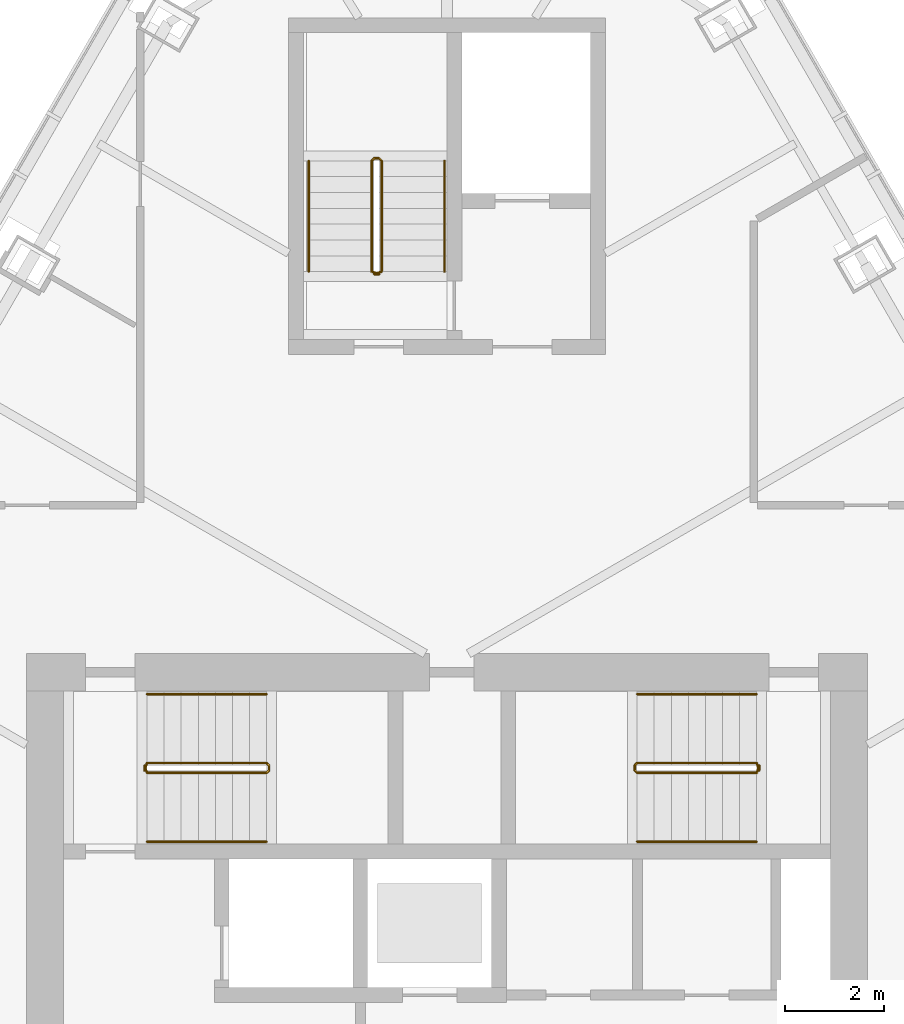
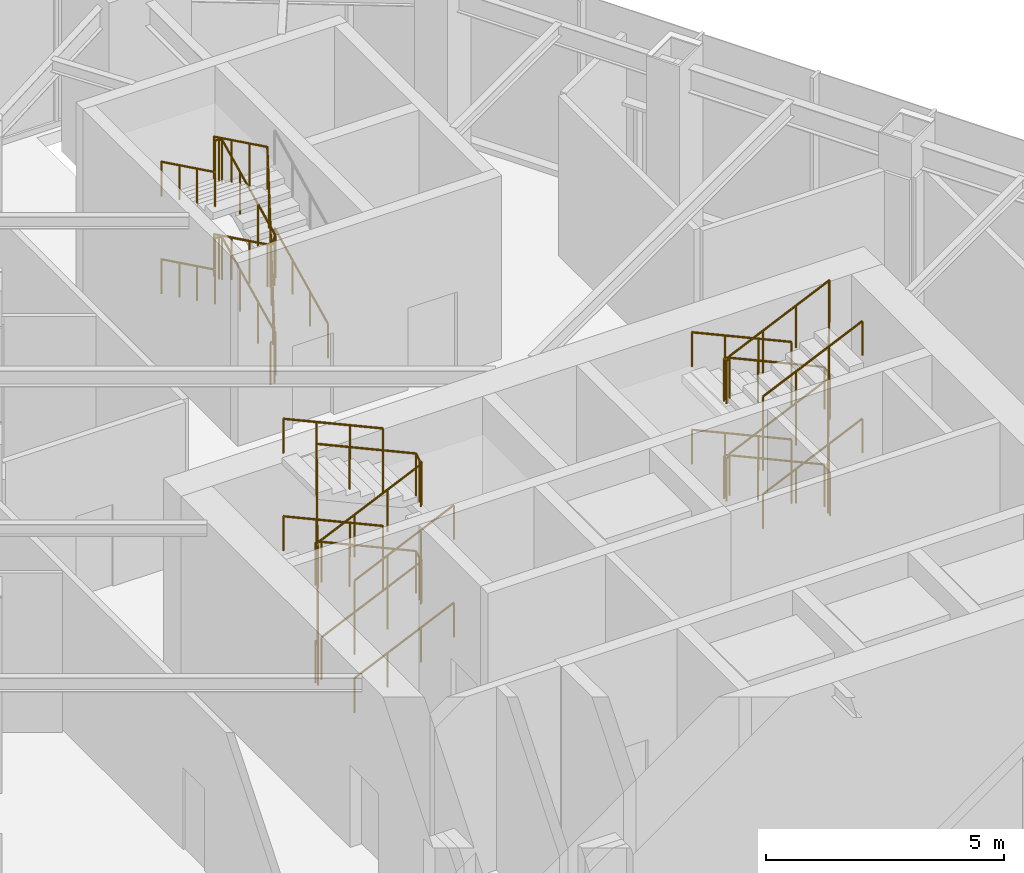
# One storey, part 15 of 17: 14 railings.
"""IFC4 building model written with IfcOpenShell, lengths in metres."""

from ifc_helpers import new_model, si_unit, direction, frame, origin, origin_2d, place, context, subcontext, project, spatial, circle, extrude, material, type_object, element, save


model = new_model("IFC4")

# Units and contexts
model_context = context("Model", 3, precision=1e-05, world=origin(), true_north=direction((0.0, 1.0)))
body_context = subcontext(model_context, "Body", "Model", "MODEL_VIEW")
ifc_project = project(units=[si_unit("LENGTHUNIT", "METRE"), si_unit("AREAUNIT", "SQUARE_METRE"), si_unit("VOLUMEUNIT", "CUBIC_METRE"), si_unit("PLANEANGLEUNIT", "RADIAN"), si_unit("MASSUNIT", "GRAM", prefix="KILO")], contexts=[model_context])

# Site, building, storey
site_placement = place(None, origin())
site = spatial("IfcSite", under=ifc_project, at=site_placement, CompositionType="ELEMENT")
building_placement = place(site_placement, origin())
building = spatial("IfcBuilding", under=site, at=building_placement, Name="Firuza Gate Tower and Library", CompositionType="ELEMENT")
storey_placement = place(building_placement, frame((0.0, 0.0, 326.60009765625)))
storey = spatial("IfcBuildingStorey", under=building, at=storey_placement, Name="L80", CompositionType="ELEMENT", Elevation=326.60009765625)

# Railings
ifc_material_1 = material(Name="Steel S355", Category="steel")
railing_type_1 = type_object("IfcRailingType", Name="Stair guard 1100", PredefinedType="GUARDRAIL", material=ifc_material_1)
railing_1_placement = place(storey_placement, frame((68.93994140625, 79.340087890625, 0.15625)))
element("IfcRailing", 1, at=railing_1_placement, inside=storey, type_object=railing_type_1, Name="L80 ST1 stair guard 1", PredefinedType="GUARDRAIL", context=body_context, shape_type="SweptSolid", body=[
    extrude(circle(Radius=0.02392578125, at=origin_2d()), frame((0.0, 0.0, 1.076171875), z_axis=(0.910933285851, 0.0, 0.412553691934), x_axis=(0.0, 1.0, 0.0)), (0.0, 0.0, 1.0), 2.651123046875),
    extrude(circle(Radius=0.02392578125, at=origin_2d()), frame((2.4150390625, 0.0, 2.169921875), z_axis=(0.708833529934, 0.705375805398, 0.0), x_axis=(-0.705375805398, 0.708833529934, 0.0)), (0.0, 0.0, 1.0), 0.070556640625),
    extrude(circle(Radius=0.02392578125, at=origin_2d()), frame((2.465087890625, 0.0498046875, 2.169921875), z_axis=(0.0, 1.0, 0.0), x_axis=(-1.0, 0.0, 0.0)), (0.0, 0.0, 1.0), 0.10009765625),
    extrude(circle(Radius=0.02392578125, at=origin_2d()), frame((2.465087890625, 0.14990234375, 2.169921875), z_axis=(-0.29177245553, 0.29177245553, 0.91089937336), x_axis=(-0.707106781187, -0.707106781187, 0.0)), (0.0, 0.0, 1.0), 0.171630859375),
    extrude(circle(Radius=0.02392578125, at=origin_2d()), frame((2.4150390625, 0.199951171875, 2.326171875), z_axis=(-0.910933285851, 0.0, 0.412553691934), x_axis=(0.0, -1.0, 0.0)), (0.0, 0.0, 1.0), 2.651123046875),
    extrude(circle(Radius=0.02392578125, at=origin_2d()), frame((0.0, 0.199951171875, 3.419921875), z_axis=(-0.316227766017, -0.948683298051, 0.0), x_axis=(0.948683298051, -0.316227766017, 0.0)), (0.0, 0.0, 1.0), 0.158203125),
    extrude(circle(Radius=0.02392578125, at=origin_2d()), frame((-0.050048828125, 0.0498046875, 3.419921875), z_axis=(0.0, 1.0, 0.0), x_axis=(-1.0, 0.0, 0.0)), (0.0, 0.0, 1.0), 0.10009765625),
    extrude(circle(Radius=0.02392578125, at=origin_2d()), frame((-0.050048828125, 0.14990234375, 3.419921875), z_axis=(0.225203892779, -0.674513122763, 0.703075567701), x_axis=(0.948528701346, 0.316691178788, 0.0)), (0.0, 0.0, 1.0), 0.22216796875),
    extrude(circle(Radius=0.02392578125, at=origin_2d()), frame((0.0, 0.0, 3.576171875), z_axis=(0.910933285851, 0.0, 0.412553691934), x_axis=(0.0, 1.0, 0.0)), (0.0, 0.0, 1.0), 2.651123046875),
    extrude(circle(Radius=0.02392578125, at=origin_2d()), frame((2.4150390625, 0.0, 4.669921875), z_axis=(0.708833529934, 0.705375805398, 0.0), x_axis=(-0.705375805398, 0.708833529934, 0.0)), (0.0, 0.0, 1.0), 0.070556640625),
    extrude(circle(Radius=0.02392578125, at=origin_2d()), frame((2.465087890625, 0.0498046875, 4.669921875), z_axis=(0.0, 1.0, 0.0), x_axis=(-1.0, 0.0, 0.0)), (0.0, 0.0, 1.0), 0.10009765625),
    extrude(circle(Radius=0.02392578125, at=origin_2d()), frame((2.465087890625, 0.14990234375, 4.669921875), z_axis=(-0.29177245553, 0.29177245553, 0.91089937336), x_axis=(-0.707106781187, -0.707106781187, 0.0)), (0.0, 0.0, 1.0), 0.171630859375),
    extrude(circle(Radius=0.02392578125, at=origin_2d()), frame((2.4150390625, 0.199951171875, 4.826171875), z_axis=(-0.910933285851, 0.0, 0.412553691934), x_axis=(0.0, -1.0, 0.0)), (0.0, 0.0, 1.0), 2.651123046875),
    extrude(circle(Radius=0.02392578125, at=origin_2d()), frame((0.0, 0.199951171875, 5.919921875), z_axis=(-0.010004754727, -0.030014264182, -0.999499399114), x_axis=(0.948683298051, -0.316227766017, 0.0)), (0.0, 0.0, 1.0), 5.00244140625),
    extrude(circle(Radius=0.02392578125, at=origin_2d()), frame((-0.050048828125, 0.0498046875, 0.919921875), z_axis=(0.0, 1.0, 0.0), x_axis=(-1.0, 0.0, 0.0)), (0.0, 0.0, 1.0), 0.10009765625),
    extrude(circle(Radius=0.02099609375, at=origin_2d()), origin(), (0.0, 0.0, 1.0), 1.052001953125),
    extrude(circle(Radius=0.02099609375, at=origin_2d()), frame((0.804931640625, 0.0, 0.364501953125)), (0.0, 0.0, 1.0), 1.052001953125),
    extrude(circle(Radius=0.02099609375, at=origin_2d()), frame((1.610107421875, 0.0, 0.729248046875)), (0.0, 0.0, 1.0), 1.052001953125),
    extrude(circle(Radius=0.02099609375, at=origin_2d()), frame((2.4150390625, 0.0, 1.09375)), (0.0, 0.0, 1.0), 1.052001953125),
    extrude(circle(Radius=0.02099609375, at=origin_2d()), frame((2.465087890625, 0.0498046875, 1.09375)), (0.0, 0.0, 1.0), 1.052001953125),
    extrude(circle(Radius=0.02099609375, at=origin_2d()), frame((2.465087890625, 0.14990234375, 1.09375)), (0.0, 0.0, 1.0), 1.052001953125),
    extrude(circle(Radius=0.02099609375, at=origin_2d()), frame((2.4150390625, 0.199951171875, 1.25)), (0.0, 0.0, 1.0), 1.052001953125),
    extrude(circle(Radius=0.02099609375, at=origin_2d()), frame((1.610107421875, 0.199951171875, 1.614501953125)), (0.0, 0.0, 1.0), 1.052001953125),
    extrude(circle(Radius=0.02099609375, at=origin_2d()), frame((0.804931640625, 0.199951171875, 1.979248046875)), (0.0, 0.0, 1.0), 1.052001953125),
    extrude(circle(Radius=0.02099609375, at=origin_2d()), frame((0.0, 0.199951171875, 2.34375)), (0.0, 0.0, 1.0), 1.052001953125),
    extrude(circle(Radius=0.02099609375, at=origin_2d()), frame((-0.050048828125, 0.0498046875, 2.34375)), (0.0, 0.0, 1.0), 1.052001953125),
    extrude(circle(Radius=0.02099609375, at=origin_2d()), frame((-0.050048828125, 0.14990234375, 2.34375)), (0.0, 0.0, 1.0), 1.052001953125),
    extrude(circle(Radius=0.02099609375, at=origin_2d()), frame((0.0, 0.0, 2.5)), (0.0, 0.0, 1.0), 1.052001953125),
    extrude(circle(Radius=0.02099609375, at=origin_2d()), frame((0.804931640625, 0.0, 2.864501953125)), (0.0, 0.0, 1.0), 1.052001953125),
    extrude(circle(Radius=0.02099609375, at=origin_2d()), frame((1.610107421875, 0.0, 3.229248046875)), (0.0, 0.0, 1.0), 1.052001953125),
    extrude(circle(Radius=0.02099609375, at=origin_2d()), frame((2.4150390625, 0.0, 3.59375)), (0.0, 0.0, 1.0), 1.052001953125),
    extrude(circle(Radius=0.02099609375, at=origin_2d()), frame((2.465087890625, 0.0498046875, 3.59375)), (0.0, 0.0, 1.0), 1.052001953125),
    extrude(circle(Radius=0.02099609375, at=origin_2d()), frame((2.465087890625, 0.14990234375, 3.59375)), (0.0, 0.0, 1.0), 1.052001953125),
    extrude(circle(Radius=0.02099609375, at=origin_2d()), frame((2.4150390625, 0.199951171875, 3.75)), (0.0, 0.0, 1.0), 1.052001953125),
    extrude(circle(Radius=0.02099609375, at=origin_2d()), frame((1.610107421875, 0.199951171875, 4.114501953125)), (0.0, 0.0, 1.0), 1.052001953125),
    extrude(circle(Radius=0.02099609375, at=origin_2d()), frame((0.804931640625, 0.199951171875, 4.479248046875)), (0.0, 0.0, 1.0), 1.052001953125),
    extrude(circle(Radius=0.02099609375, at=origin_2d()), frame((0.0, 0.199951171875, 4.84375)), (0.0, 0.0, 1.0), 1.052001953125),
    extrude(circle(Radius=0.02099609375, at=origin_2d()), frame((-0.010009765625, 0.169921875, 3.84375)), (0.0, 0.0, 1.0), 1.052001953125),
    extrude(circle(Radius=0.02099609375, at=origin_2d()), frame((-0.02001953125, 0.139892578125, 2.84375)), (0.0, 0.0, 1.0), 1.052001953125),
    extrude(circle(Radius=0.02099609375, at=origin_2d()), frame((-0.030029296875, 0.10986328125, 1.84375)), (0.0, 0.0, 1.0), 1.052001953125),
    extrude(circle(Radius=0.02099609375, at=origin_2d()), frame((-0.0400390625, 0.079833984375, 0.84375)), (0.0, 0.0, 1.0), 1.052001953125),
    extrude(circle(Radius=0.02099609375, at=origin_2d()), frame((-0.050048828125, 0.0498046875, -0.15625)), (0.0, 0.0, 1.0), 1.052001953125),
    extrude(circle(Radius=0.02099609375, at=origin_2d()), frame((-0.050048828125, 0.14990234375, -0.15625)), (0.0, 0.0, 1.0), 1.052001953125),
])
railing_2_placement = place(storey_placement, frame((81.260009765625, 79.5400390625, 0.15625)))
element("IfcRailing", 2, at=railing_2_placement, inside=storey, type_object=railing_type_1, Name="L80 ST2 stair guard 1", PredefinedType="GUARDRAIL", context=body_context, shape_type="SweptSolid", body=[
    extrude(circle(Radius=0.02392578125, at=origin_2d()), frame((0.0, 0.0, 1.076171875), z_axis=(-0.910933285851, 0.0, 0.412553691934), x_axis=(0.0, -1.0, 0.0)), (0.0, 0.0, 1.0), 2.651123046875),
    extrude(circle(Radius=0.02392578125, at=origin_2d()), frame((-2.4150390625, 0.0, 2.169921875), z_axis=(-0.707106781187, -0.707106781187, 0.0), x_axis=(0.707106781187, -0.707106781187, 0.0)), (0.0, 0.0, 1.0), 0.07080078125),
    extrude(circle(Radius=0.02392578125, at=origin_2d()), frame((-2.465087890625, -0.050048828125, 2.169921875), z_axis=(0.0, -1.0, 0.0), x_axis=(1.0, 0.0, 0.0)), (0.0, 0.0, 1.0), 0.10009765625),
    extrude(circle(Radius=0.02392578125, at=origin_2d()), frame((-2.465087890625, -0.150146484375, 2.169921875), z_axis=(0.291893400672, -0.290469530425, 0.911276958196), x_axis=(0.705375805398, 0.708833529934, 0.0)), (0.0, 0.0, 1.0), 0.17138671875),
    extrude(circle(Radius=0.02392578125, at=origin_2d()), frame((-2.4150390625, -0.199951171875, 2.326171875), z_axis=(0.910933285851, 0.0, 0.412553691934), x_axis=(0.0, 1.0, 0.0)), (0.0, 0.0, 1.0), 2.651123046875),
    extrude(circle(Radius=0.02392578125, at=origin_2d()), frame((0.0, -0.199951171875, 3.419921875), z_axis=(0.316691178788, 0.948528701346, 0.0), x_axis=(-0.948528701346, 0.316691178788, 0.0)), (0.0, 0.0, 1.0), 0.157958984375),
    extrude(circle(Radius=0.02392578125, at=origin_2d()), frame((0.050048828125, -0.050048828125, 3.419921875), z_axis=(0.0, -1.0, 0.0), x_axis=(1.0, 0.0, 0.0)), (0.0, 0.0, 1.0), 0.10009765625),
    extrude(circle(Radius=0.02392578125, at=origin_2d()), frame((0.050048828125, -0.150146484375, 3.419921875), z_axis=(-0.225037068573, 0.675111205718, 0.702554750666), x_axis=(-0.948683298051, -0.316227766017, 0.0)), (0.0, 0.0, 1.0), 0.222412109375),
    extrude(circle(Radius=0.02392578125, at=origin_2d()), frame((0.0, 0.0, 3.576171875), z_axis=(-0.910933285851, 0.0, 0.412553691934), x_axis=(0.0, -1.0, 0.0)), (0.0, 0.0, 1.0), 2.651123046875),
    extrude(circle(Radius=0.02392578125, at=origin_2d()), frame((-2.4150390625, 0.0, 4.669921875), z_axis=(-0.707106781187, -0.707106781187, 0.0), x_axis=(0.707106781187, -0.707106781187, 0.0)), (0.0, 0.0, 1.0), 0.07080078125),
    extrude(circle(Radius=0.02392578125, at=origin_2d()), frame((-2.465087890625, -0.050048828125, 4.669921875), z_axis=(0.0, -1.0, 0.0), x_axis=(1.0, 0.0, 0.0)), (0.0, 0.0, 1.0), 0.10009765625),
    extrude(circle(Radius=0.02392578125, at=origin_2d()), frame((-2.465087890625, -0.150146484375, 4.669921875), z_axis=(0.291893400672, -0.290469530425, 0.911276958196), x_axis=(0.705375805398, 0.708833529934, 0.0)), (0.0, 0.0, 1.0), 0.17138671875),
    extrude(circle(Radius=0.02392578125, at=origin_2d()), frame((-2.4150390625, -0.199951171875, 4.826171875), z_axis=(0.910933285851, 0.0, 0.412553691934), x_axis=(0.0, 1.0, 0.0)), (0.0, 0.0, 1.0), 2.651123046875),
    extrude(circle(Radius=0.02392578125, at=origin_2d()), frame((0.0, -0.199951171875, 5.919921875), z_axis=(0.010004769371, 0.029965504359, -0.999500862), x_axis=(-0.948528701346, 0.316691178788, 0.0)), (0.0, 0.0, 1.0), 5.00244140625),
    extrude(circle(Radius=0.02392578125, at=origin_2d()), frame((0.050048828125, -0.050048828125, 0.919921875), z_axis=(0.0, -1.0, 0.0), x_axis=(1.0, 0.0, 0.0)), (0.0, 0.0, 1.0), 0.10009765625),
    extrude(circle(Radius=0.02099609375, at=origin_2d()), origin(), (0.0, 0.0, 1.0), 1.052001953125),
    extrude(circle(Radius=0.02099609375, at=origin_2d()), frame((-0.804931640625, 0.0, 0.364501953125)), (0.0, 0.0, 1.0), 1.052001953125),
    extrude(circle(Radius=0.02099609375, at=origin_2d()), frame((-1.610107421875, 0.0, 0.729248046875)), (0.0, 0.0, 1.0), 1.052001953125),
    extrude(circle(Radius=0.02099609375, at=origin_2d()), frame((-2.4150390625, 0.0, 1.09375)), (0.0, 0.0, 1.0), 1.052001953125),
    extrude(circle(Radius=0.02099609375, at=origin_2d()), frame((-2.465087890625, -0.050048828125, 1.09375)), (0.0, 0.0, 1.0), 1.052001953125),
    extrude(circle(Radius=0.02099609375, at=origin_2d()), frame((-2.465087890625, -0.150146484375, 1.09375)), (0.0, 0.0, 1.0), 1.052001953125),
    extrude(circle(Radius=0.02099609375, at=origin_2d()), frame((-2.4150390625, -0.199951171875, 1.25)), (0.0, 0.0, 1.0), 1.052001953125),
    extrude(circle(Radius=0.02099609375, at=origin_2d()), frame((-1.610107421875, -0.199951171875, 1.614501953125)), (0.0, 0.0, 1.0), 1.052001953125),
    extrude(circle(Radius=0.02099609375, at=origin_2d()), frame((-0.804931640625, -0.199951171875, 1.979248046875)), (0.0, 0.0, 1.0), 1.052001953125),
    extrude(circle(Radius=0.02099609375, at=origin_2d()), frame((0.0, -0.199951171875, 2.34375)), (0.0, 0.0, 1.0), 1.052001953125),
    extrude(circle(Radius=0.02099609375, at=origin_2d()), frame((0.050048828125, -0.050048828125, 2.34375)), (0.0, 0.0, 1.0), 1.052001953125),
    extrude(circle(Radius=0.02099609375, at=origin_2d()), frame((0.050048828125, -0.150146484375, 2.34375)), (0.0, 0.0, 1.0), 1.052001953125),
    extrude(circle(Radius=0.02099609375, at=origin_2d()), frame((0.0, 0.0, 2.5)), (0.0, 0.0, 1.0), 1.052001953125),
    extrude(circle(Radius=0.02099609375, at=origin_2d()), frame((-0.804931640625, 0.0, 2.864501953125)), (0.0, 0.0, 1.0), 1.052001953125),
    extrude(circle(Radius=0.02099609375, at=origin_2d()), frame((-1.610107421875, 0.0, 3.229248046875)), (0.0, 0.0, 1.0), 1.052001953125),
    extrude(circle(Radius=0.02099609375, at=origin_2d()), frame((-2.4150390625, 0.0, 3.59375)), (0.0, 0.0, 1.0), 1.052001953125),
    extrude(circle(Radius=0.02099609375, at=origin_2d()), frame((-2.465087890625, -0.050048828125, 3.59375)), (0.0, 0.0, 1.0), 1.052001953125),
    extrude(circle(Radius=0.02099609375, at=origin_2d()), frame((-2.465087890625, -0.150146484375, 3.59375)), (0.0, 0.0, 1.0), 1.052001953125),
    extrude(circle(Radius=0.02099609375, at=origin_2d()), frame((-2.4150390625, -0.199951171875, 3.75)), (0.0, 0.0, 1.0), 1.052001953125),
    extrude(circle(Radius=0.02099609375, at=origin_2d()), frame((-1.610107421875, -0.199951171875, 4.114501953125)), (0.0, 0.0, 1.0), 1.052001953125),
    extrude(circle(Radius=0.02099609375, at=origin_2d()), frame((-0.804931640625, -0.199951171875, 4.479248046875)), (0.0, 0.0, 1.0), 1.052001953125),
    extrude(circle(Radius=0.02099609375, at=origin_2d()), frame((0.0, -0.199951171875, 4.84375)), (0.0, 0.0, 1.0), 1.052001953125),
    extrude(circle(Radius=0.02099609375, at=origin_2d()), frame((0.010009765625, -0.169921875, 3.84375)), (0.0, 0.0, 1.0), 1.052001953125),
    extrude(circle(Radius=0.02099609375, at=origin_2d()), frame((0.02001953125, -0.139892578125, 2.84375)), (0.0, 0.0, 1.0), 1.052001953125),
    extrude(circle(Radius=0.02099609375, at=origin_2d()), frame((0.030029296875, -0.110107421875, 1.84375)), (0.0, 0.0, 1.0), 1.052001953125),
    extrude(circle(Radius=0.02099609375, at=origin_2d()), frame((0.0400390625, -0.080078125, 0.84375)), (0.0, 0.0, 1.0), 1.052001953125),
    extrude(circle(Radius=0.02099609375, at=origin_2d()), frame((0.050048828125, -0.050048828125, -0.15625)), (0.0, 0.0, 1.0), 1.052001953125),
    extrude(circle(Radius=0.02099609375, at=origin_2d()), frame((0.050048828125, -0.150146484375, -0.15625)), (0.0, 0.0, 1.0), 1.052001953125),
])
railing_3_placement = place(storey_placement, frame((73.679931640625, 89.469970703125, 0.15625)))
element("IfcRailing", 3, at=railing_3_placement, inside=storey, type_object=railing_type_1, Name="L80 ST3 stair guard 1", PredefinedType="GUARDRAIL", context=body_context, shape_type="SweptSolid", body=[
    extrude(circle(Radius=0.02392578125, at=origin_2d()), frame((0.0, 0.0, 1.076171875), z_axis=(0.0, 0.898598948553, 0.438770930737), x_axis=(-1.0, 0.0, 0.0)), (0.0, 0.0, 1.0), 2.49267578125),
    extrude(circle(Radius=0.02392578125, at=origin_2d()), frame((0.0, 2.239990234375, 2.169921875), z_axis=(-0.707106781187, 0.707106781187, 0.0), x_axis=(-0.707106781187, -0.707106781187, 0.0)), (0.0, 0.0, 1.0), 0.07080078125),
    extrude(circle(Radius=0.02392578125, at=origin_2d()), frame((-0.050048828125, 2.2900390625, 2.169921875), z_axis=(-1.0, 0.0, 0.0), x_axis=(0.0, -1.0, 0.0)), (0.0, 0.0, 1.0), 0.099853515625),
    extrude(circle(Radius=0.02392578125, at=origin_2d()), frame((-0.14990234375, 2.2900390625, 2.169921875), z_axis=(-0.29177245553, -0.29177245553, 0.91089937336), x_axis=(0.707106781187, -0.707106781187, 0.0)), (0.0, 0.0, 1.0), 0.171630859375),
    extrude(circle(Radius=0.02392578125, at=origin_2d()), frame((-0.199951171875, 2.239990234375, 2.326171875), z_axis=(0.0, -0.898598948553, 0.438770930737), x_axis=(1.0, 0.0, 0.0)), (0.0, 0.0, 1.0), 2.49267578125),
    extrude(circle(Radius=0.02392578125, at=origin_2d()), frame((-0.199951171875, 0.0, 3.419921875), z_axis=(0.948528701346, -0.316691178788, 0.0), x_axis=(0.316691178788, 0.948528701346, 0.0)), (0.0, 0.0, 1.0), 0.157958984375),
    extrude(circle(Radius=0.02392578125, at=origin_2d()), frame((-0.050048828125, -0.050048828125, 3.419921875), z_axis=(-1.0, 0.0, 0.0), x_axis=(0.0, -1.0, 0.0)), (0.0, 0.0, 1.0), 0.099853515625),
    extrude(circle(Radius=0.02392578125, at=origin_2d()), frame((-0.14990234375, -0.050048828125, 3.419921875), z_axis=(0.674513122763, 0.225203892779, 0.703075567701), x_axis=(-0.316691178788, 0.948528701346, 0.0)), (0.0, 0.0, 1.0), 0.22216796875),
    extrude(circle(Radius=0.02392578125, at=origin_2d()), frame((0.0, 0.0, 3.576171875), z_axis=(0.0, 0.898598948553, 0.438770930737), x_axis=(-1.0, 0.0, 0.0)), (0.0, 0.0, 1.0), 2.49267578125),
    extrude(circle(Radius=0.02392578125, at=origin_2d()), frame((0.0, 2.239990234375, 4.669921875), z_axis=(-0.707106781187, 0.707106781187, 0.0), x_axis=(-0.707106781187, -0.707106781187, 0.0)), (0.0, 0.0, 1.0), 0.07080078125),
    extrude(circle(Radius=0.02392578125, at=origin_2d()), frame((-0.050048828125, 2.2900390625, 4.669921875), z_axis=(-1.0, 0.0, 0.0), x_axis=(0.0, -1.0, 0.0)), (0.0, 0.0, 1.0), 0.099853515625),
    extrude(circle(Radius=0.02392578125, at=origin_2d()), frame((-0.14990234375, 2.2900390625, 4.669921875), z_axis=(-0.29177245553, -0.29177245553, 0.91089937336), x_axis=(0.707106781187, -0.707106781187, 0.0)), (0.0, 0.0, 1.0), 0.171630859375),
    extrude(circle(Radius=0.02392578125, at=origin_2d()), frame((-0.199951171875, 2.239990234375, 4.826171875), z_axis=(0.0, -0.898598948553, 0.438770930737), x_axis=(1.0, 0.0, 0.0)), (0.0, 0.0, 1.0), 2.49267578125),
    extrude(circle(Radius=0.02392578125, at=origin_2d()), frame((-0.199951171875, 0.0, 5.919921875), z_axis=(0.029965504359, -0.010004769371, -0.999500862), x_axis=(0.316691178788, 0.948528701346, 0.0)), (0.0, 0.0, 1.0), 5.00244140625),
    extrude(circle(Radius=0.02392578125, at=origin_2d()), frame((-0.050048828125, -0.050048828125, 0.919921875), z_axis=(-1.0, 0.0, 0.0), x_axis=(0.0, -1.0, 0.0)), (0.0, 0.0, 1.0), 0.099853515625),
    extrude(circle(Radius=0.02099609375, at=origin_2d()), origin(), (0.0, 0.0, 1.0), 1.052001953125),
    extrude(circle(Radius=0.02099609375, at=origin_2d()), frame((0.0, 0.74658203125, 0.364501953125)), (0.0, 0.0, 1.0), 1.052001953125),
    extrude(circle(Radius=0.02099609375, at=origin_2d()), frame((0.0, 1.493408203125, 0.729248046875)), (0.0, 0.0, 1.0), 1.052001953125),
    extrude(circle(Radius=0.02099609375, at=origin_2d()), frame((0.0, 2.239990234375, 1.09375)), (0.0, 0.0, 1.0), 1.052001953125),
    extrude(circle(Radius=0.02099609375, at=origin_2d()), frame((-0.050048828125, 2.2900390625, 1.09375)), (0.0, 0.0, 1.0), 1.052001953125),
    extrude(circle(Radius=0.02099609375, at=origin_2d()), frame((-0.14990234375, 2.2900390625, 1.09375)), (0.0, 0.0, 1.0), 1.052001953125),
    extrude(circle(Radius=0.02099609375, at=origin_2d()), frame((-0.199951171875, 2.239990234375, 1.25)), (0.0, 0.0, 1.0), 1.052001953125),
    extrude(circle(Radius=0.02099609375, at=origin_2d()), frame((-0.199951171875, 1.493408203125, 1.614501953125)), (0.0, 0.0, 1.0), 1.052001953125),
    extrude(circle(Radius=0.02099609375, at=origin_2d()), frame((-0.199951171875, 0.74658203125, 1.979248046875)), (0.0, 0.0, 1.0), 1.052001953125),
    extrude(circle(Radius=0.02099609375, at=origin_2d()), frame((-0.199951171875, 0.0, 2.34375)), (0.0, 0.0, 1.0), 1.052001953125),
    extrude(circle(Radius=0.02099609375, at=origin_2d()), frame((-0.050048828125, -0.050048828125, 2.34375)), (0.0, 0.0, 1.0), 1.052001953125),
    extrude(circle(Radius=0.02099609375, at=origin_2d()), frame((-0.14990234375, -0.050048828125, 2.34375)), (0.0, 0.0, 1.0), 1.052001953125),
    extrude(circle(Radius=0.02099609375, at=origin_2d()), frame((0.0, 0.0, 2.5)), (0.0, 0.0, 1.0), 1.052001953125),
    extrude(circle(Radius=0.02099609375, at=origin_2d()), frame((0.0, 0.74658203125, 2.864501953125)), (0.0, 0.0, 1.0), 1.052001953125),
    extrude(circle(Radius=0.02099609375, at=origin_2d()), frame((0.0, 1.493408203125, 3.229248046875)), (0.0, 0.0, 1.0), 1.052001953125),
    extrude(circle(Radius=0.02099609375, at=origin_2d()), frame((0.0, 2.239990234375, 3.59375)), (0.0, 0.0, 1.0), 1.052001953125),
    extrude(circle(Radius=0.02099609375, at=origin_2d()), frame((-0.050048828125, 2.2900390625, 3.59375)), (0.0, 0.0, 1.0), 1.052001953125),
    extrude(circle(Radius=0.02099609375, at=origin_2d()), frame((-0.14990234375, 2.2900390625, 3.59375)), (0.0, 0.0, 1.0), 1.052001953125),
    extrude(circle(Radius=0.02099609375, at=origin_2d()), frame((-0.199951171875, 2.239990234375, 3.75)), (0.0, 0.0, 1.0), 1.052001953125),
    extrude(circle(Radius=0.02099609375, at=origin_2d()), frame((-0.199951171875, 1.493408203125, 4.114501953125)), (0.0, 0.0, 1.0), 1.052001953125),
    extrude(circle(Radius=0.02099609375, at=origin_2d()), frame((-0.199951171875, 0.74658203125, 4.479248046875)), (0.0, 0.0, 1.0), 1.052001953125),
    extrude(circle(Radius=0.02099609375, at=origin_2d()), frame((-0.199951171875, 0.0, 4.84375)), (0.0, 0.0, 1.0), 1.052001953125),
    extrude(circle(Radius=0.02099609375, at=origin_2d()), frame((-0.169921875, -0.010009765625, 3.84375)), (0.0, 0.0, 1.0), 1.052001953125),
    extrude(circle(Radius=0.02099609375, at=origin_2d()), frame((-0.139892578125, -0.02001953125, 2.84375)), (0.0, 0.0, 1.0), 1.052001953125),
    extrude(circle(Radius=0.02099609375, at=origin_2d()), frame((-0.110107421875, -0.030029296875, 1.84375)), (0.0, 0.0, 1.0), 1.052001953125),
    extrude(circle(Radius=0.02099609375, at=origin_2d()), frame((-0.080078125, -0.0400390625, 0.84375)), (0.0, 0.0, 1.0), 1.052001953125),
    extrude(circle(Radius=0.02099609375, at=origin_2d()), frame((-0.050048828125, -0.050048828125, -0.15625)), (0.0, 0.0, 1.0), 1.052001953125),
    extrude(circle(Radius=0.02099609375, at=origin_2d()), frame((-0.14990234375, -0.050048828125, -0.15625)), (0.0, 0.0, 1.0), 1.052001953125),
])
ifc_material_2 = material(Name="Steel S355", Category="steel")
railing_type_2 = type_object("IfcRailingType", Name="Stair handrail 900", PredefinedType="HANDRAIL", material=ifc_material_2)
railing_4_placement = place(storey_placement, frame((68.93994140625, 77.949951171875, 0.15625)))
element("IfcRailing", 4, at=railing_4_placement, inside=storey, type_object=railing_type_2, Name="L80 ST1 stair handrail 1", PredefinedType="HANDRAIL", context=body_context, shape_type="SweptSolid", body=[
    extrude(circle(Radius=0.02392578125, at=origin_2d()), frame((0.0, 0.0, 0.8759765625), z_axis=(0.910933285851, 0.0, 0.412553691934), x_axis=(0.0, 1.0, 0.0)), (0.0, 0.0, 1.0), 2.651123046875),
    extrude(circle(Radius=0.02099609375, at=origin_2d()), origin(), (0.0, 0.0, 1.0), 0.851806640625),
    extrude(circle(Radius=0.02099609375, at=origin_2d()), frame((0.804931640625, 0.0, 0.364501953125)), (0.0, 0.0, 1.0), 0.851806640625),
    extrude(circle(Radius=0.02099609375, at=origin_2d()), frame((1.610107421875, 0.0, 0.729248046875)), (0.0, 0.0, 1.0), 0.851806640625),
    extrude(circle(Radius=0.02099609375, at=origin_2d()), frame((2.4150390625, 0.0, 1.09375)), (0.0, 0.0, 1.0), 0.851806640625),
])
railing_5_placement = place(storey_placement, frame((71.35498046875, 80.929931640625, 1.40625)))
element("IfcRailing", 5, at=railing_5_placement, inside=storey, type_object=railing_type_2, Name="L80 ST1 stair handrail 2", PredefinedType="HANDRAIL", context=body_context, shape_type="SweptSolid", body=[
    extrude(circle(Radius=0.02392578125, at=origin_2d()), frame((0.0, 0.0, 0.8759765625), z_axis=(-0.910933285851, 0.0, 0.412553691934), x_axis=(0.0, -1.0, 0.0)), (0.0, 0.0, 1.0), 2.651123046875),
    extrude(circle(Radius=0.02099609375, at=origin_2d()), origin(), (0.0, 0.0, 1.0), 0.851806640625),
    extrude(circle(Radius=0.02099609375, at=origin_2d()), frame((-0.804931640625, 0.0, 0.364501953125)), (0.0, 0.0, 1.0), 0.851806640625),
    extrude(circle(Radius=0.02099609375, at=origin_2d()), frame((-1.610107421875, 0.0, 0.729248046875)), (0.0, 0.0, 1.0), 0.851806640625),
    extrude(circle(Radius=0.02099609375, at=origin_2d()), frame((-2.4150390625, 0.0, 1.09375)), (0.0, 0.0, 1.0), 0.851806640625),
])
railing_6_placement = place(storey_placement, frame((68.93994140625, 77.949951171875, 2.65625)))
element("IfcRailing", 6, at=railing_6_placement, inside=storey, type_object=railing_type_2, Name="L80 ST1 stair handrail 3", PredefinedType="HANDRAIL", context=body_context, shape_type="SweptSolid", body=[
    extrude(circle(Radius=0.02392578125, at=origin_2d()), frame((0.0, 0.0, 0.8759765625), z_axis=(0.910933285851, 0.0, 0.412553691934), x_axis=(0.0, 1.0, 0.0)), (0.0, 0.0, 1.0), 2.651123046875),
    extrude(circle(Radius=0.02099609375, at=origin_2d()), origin(), (0.0, 0.0, 1.0), 0.851806640625),
    extrude(circle(Radius=0.02099609375, at=origin_2d()), frame((0.804931640625, 0.0, 0.364501953125)), (0.0, 0.0, 1.0), 0.851806640625),
    extrude(circle(Radius=0.02099609375, at=origin_2d()), frame((1.610107421875, 0.0, 0.729248046875)), (0.0, 0.0, 1.0), 0.851806640625),
    extrude(circle(Radius=0.02099609375, at=origin_2d()), frame((2.4150390625, 0.0, 1.09375)), (0.0, 0.0, 1.0), 0.851806640625),
])
for number, where, name in (
    (7, (71.35498046875, 80.929931640625, 3.90625), "L80 ST1 stair handrail 4"),
    (8, (81.260009765625, 80.929931640625, 0.15625), "L80 ST2 stair handrail 1"),
):
    element("IfcRailing", number, at=place(storey_placement, frame(where)), inside=storey, type_object=railing_type_2, Name=name, PredefinedType="HANDRAIL", context=body_context, shape_type="SweptSolid", body=[
        extrude(circle(Radius=0.02392578125, at=origin_2d()), frame((0.0, 0.0, 0.8759765625), z_axis=(-0.910933285851, 0.0, 0.412553691934), x_axis=(0.0, -1.0, 0.0)), (0.0, 0.0, 1.0), 2.651123046875),
        extrude(circle(Radius=0.02099609375, at=origin_2d()), origin(), (0.0, 0.0, 1.0), 0.851806640625),
        extrude(circle(Radius=0.02099609375, at=origin_2d()), frame((-0.804931640625, 0.0, 0.364501953125)), (0.0, 0.0, 1.0), 0.851806640625),
        extrude(circle(Radius=0.02099609375, at=origin_2d()), frame((-1.610107421875, 0.0, 0.729248046875)), (0.0, 0.0, 1.0), 0.851806640625),
        extrude(circle(Radius=0.02099609375, at=origin_2d()), frame((-2.4150390625, 0.0, 1.09375)), (0.0, 0.0, 1.0), 0.851806640625),
    ])
railing_7_placement = place(storey_placement, frame((78.844970703125, 77.949951171875, 1.40625)))
element("IfcRailing", 9, at=railing_7_placement, inside=storey, type_object=railing_type_2, Name="L80 ST2 stair handrail 2", PredefinedType="HANDRAIL", context=body_context, shape_type="SweptSolid", body=[
    extrude(circle(Radius=0.02392578125, at=origin_2d()), frame((0.0, 0.0, 0.8759765625), z_axis=(0.910933285851, 0.0, 0.412553691934), x_axis=(0.0, 1.0, 0.0)), (0.0, 0.0, 1.0), 2.651123046875),
    extrude(circle(Radius=0.02099609375, at=origin_2d()), origin(), (0.0, 0.0, 1.0), 0.851806640625),
    extrude(circle(Radius=0.02099609375, at=origin_2d()), frame((0.804931640625, 0.0, 0.364501953125)), (0.0, 0.0, 1.0), 0.851806640625),
    extrude(circle(Radius=0.02099609375, at=origin_2d()), frame((1.610107421875, 0.0, 0.729248046875)), (0.0, 0.0, 1.0), 0.851806640625),
    extrude(circle(Radius=0.02099609375, at=origin_2d()), frame((2.4150390625, 0.0, 1.09375)), (0.0, 0.0, 1.0), 0.851806640625),
])
railing_8_placement = place(storey_placement, frame((81.260009765625, 80.929931640625, 2.65625)))
element("IfcRailing", 10, at=railing_8_placement, inside=storey, type_object=railing_type_2, Name="L80 ST2 stair handrail 3", PredefinedType="HANDRAIL", context=body_context, shape_type="SweptSolid", body=[
    extrude(circle(Radius=0.02392578125, at=origin_2d()), frame((0.0, 0.0, 0.8759765625), z_axis=(-0.910933285851, 0.0, 0.412553691934), x_axis=(0.0, -1.0, 0.0)), (0.0, 0.0, 1.0), 2.651123046875),
    extrude(circle(Radius=0.02099609375, at=origin_2d()), origin(), (0.0, 0.0, 1.0), 0.851806640625),
    extrude(circle(Radius=0.02099609375, at=origin_2d()), frame((-0.804931640625, 0.0, 0.364501953125)), (0.0, 0.0, 1.0), 0.851806640625),
    extrude(circle(Radius=0.02099609375, at=origin_2d()), frame((-1.610107421875, 0.0, 0.729248046875)), (0.0, 0.0, 1.0), 0.851806640625),
    extrude(circle(Radius=0.02099609375, at=origin_2d()), frame((-2.4150390625, 0.0, 1.09375)), (0.0, 0.0, 1.0), 0.851806640625),
])
railing_9_placement = place(storey_placement, frame((78.844970703125, 77.949951171875, 3.90625)))
element("IfcRailing", 11, at=railing_9_placement, inside=storey, type_object=railing_type_2, Name="L80 ST2 stair handrail 4", PredefinedType="HANDRAIL", context=body_context, shape_type="SweptSolid", body=[
    extrude(circle(Radius=0.02392578125, at=origin_2d()), frame((0.0, 0.0, 0.8759765625), z_axis=(0.910933285851, 0.0, 0.412553691934), x_axis=(0.0, 1.0, 0.0)), (0.0, 0.0, 1.0), 2.651123046875),
    extrude(circle(Radius=0.02099609375, at=origin_2d()), origin(), (0.0, 0.0, 1.0), 0.851806640625),
    extrude(circle(Radius=0.02099609375, at=origin_2d()), frame((0.804931640625, 0.0, 0.364501953125)), (0.0, 0.0, 1.0), 0.851806640625),
    extrude(circle(Radius=0.02099609375, at=origin_2d()), frame((1.610107421875, 0.0, 0.729248046875)), (0.0, 0.0, 1.0), 0.851806640625),
    extrude(circle(Radius=0.02099609375, at=origin_2d()), frame((2.4150390625, 0.0, 1.09375)), (0.0, 0.0, 1.0), 0.851806640625),
])
railing_10_placement = place(storey_placement, frame((74.949951171875, 89.469970703125, 0.15625)))
element("IfcRailing", 12, at=railing_10_placement, inside=storey, type_object=railing_type_2, Name="L80 ST3 stair handrail 1", PredefinedType="HANDRAIL", context=body_context, shape_type="SweptSolid", body=[
    extrude(circle(Radius=0.02392578125, at=origin_2d()), frame((0.0, 0.0, 0.8759765625), z_axis=(0.0, 0.898598948553, 0.438770930737), x_axis=(-1.0, 0.0, 0.0)), (0.0, 0.0, 1.0), 2.49267578125),
    extrude(circle(Radius=0.02099609375, at=origin_2d()), origin(), (0.0, 0.0, 1.0), 0.851806640625),
    extrude(circle(Radius=0.02099609375, at=origin_2d()), frame((0.0, 0.74658203125, 0.364501953125)), (0.0, 0.0, 1.0), 0.851806640625),
    extrude(circle(Radius=0.02099609375, at=origin_2d()), frame((0.0, 1.493408203125, 0.729248046875)), (0.0, 0.0, 1.0), 0.851806640625),
    extrude(circle(Radius=0.02099609375, at=origin_2d()), frame((0.0, 2.239990234375, 1.09375)), (0.0, 0.0, 1.0), 0.851806640625),
])
for number, where, name in (
    (13, (72.2099609375, 91.7099609375, 1.40625), "L80 ST3 stair handrail 2"),
    (14, (72.2099609375, 91.7099609375, 3.90625), "L80 ST3 stair handrail 4"),
):
    element("IfcRailing", number, at=place(storey_placement, frame(where)), inside=storey, type_object=railing_type_2, Name=name, PredefinedType="HANDRAIL", context=body_context, shape_type="SweptSolid", body=[
        extrude(circle(Radius=0.02392578125, at=origin_2d()), frame((0.0, 0.0, 0.8759765625), z_axis=(0.0, -0.898598948553, 0.438770930737), x_axis=(1.0, 0.0, 0.0)), (0.0, 0.0, 1.0), 2.49267578125),
        extrude(circle(Radius=0.02099609375, at=origin_2d()), origin(), (0.0, 0.0, 1.0), 0.851806640625),
        extrude(circle(Radius=0.02099609375, at=origin_2d()), frame((0.0, -0.74658203125, 0.364501953125)), (0.0, 0.0, 1.0), 0.851806640625),
        extrude(circle(Radius=0.02099609375, at=origin_2d()), frame((0.0, -1.493408203125, 0.729248046875)), (0.0, 0.0, 1.0), 0.851806640625),
        extrude(circle(Radius=0.02099609375, at=origin_2d()), frame((0.0, -2.239990234375, 1.09375)), (0.0, 0.0, 1.0), 0.851806640625),
    ])

save(model, "model.ifc")
